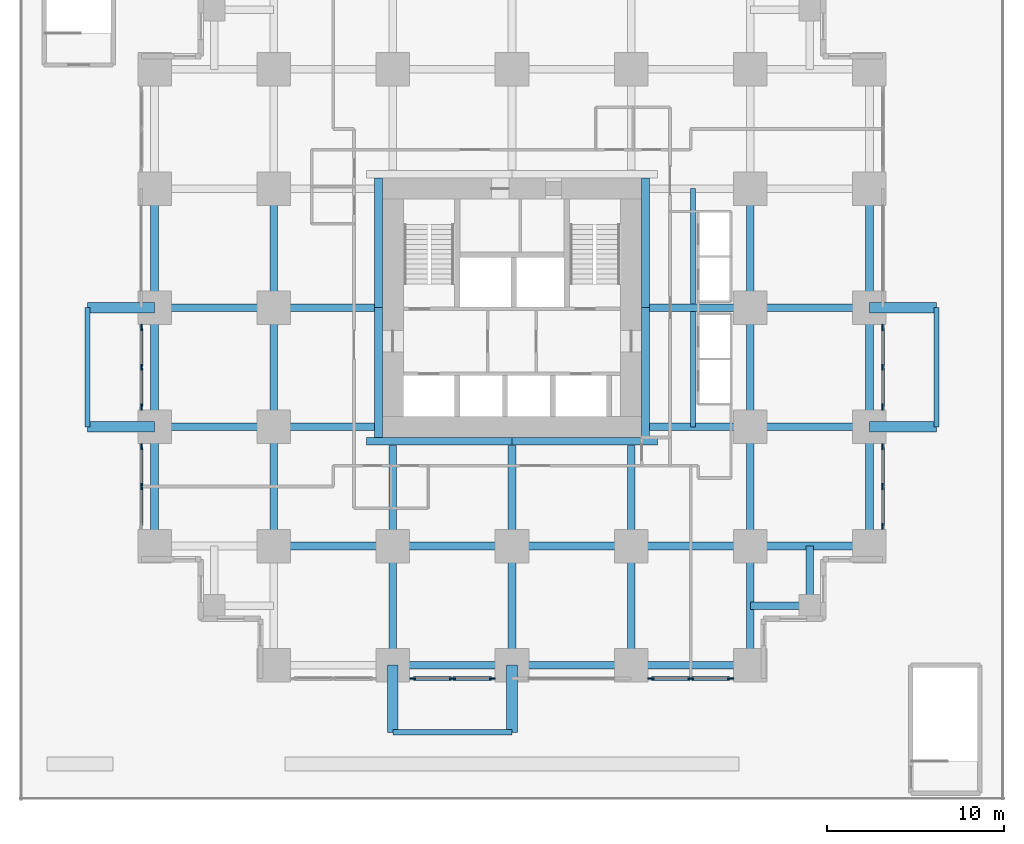
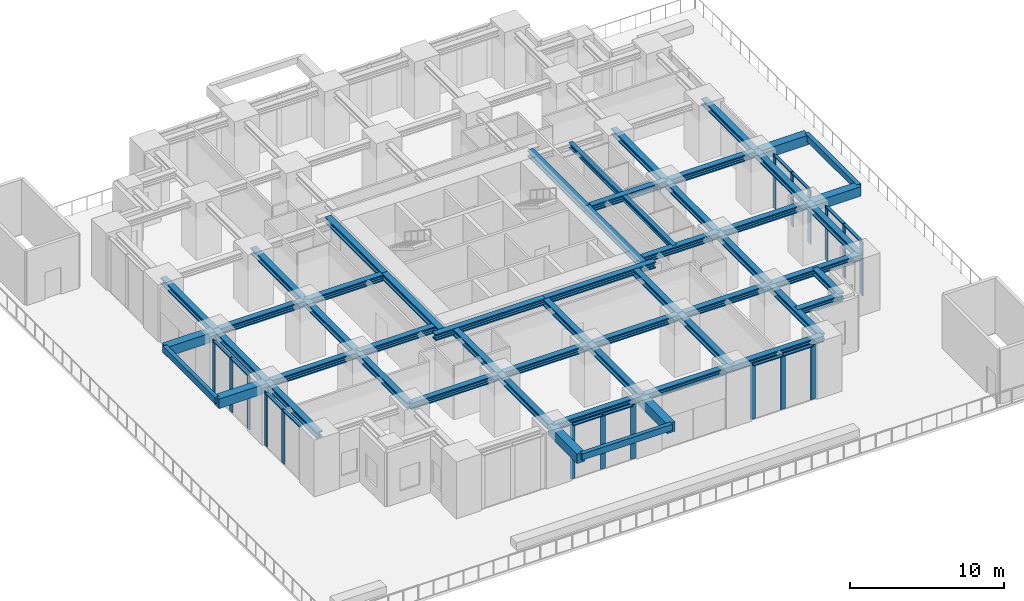
# One storey, part 2 of 9: 54 beams, 29 members, 6 elements without a shape of their own.
"""IFC4 building model written with IfcOpenShell, lengths in metres."""

from ifc_helpers import new_model, si_unit, direction, frame, origin, origin_2d, place, context, subcontext, project, spatial, rectangle, i_section, extrude, material, material_profile, profile_set, type_object, element, aggregate, save


model = new_model("IFC4")

# Units and contexts
model_context = context("Model", 3, precision=1e-05, world=origin(), true_north=direction((0.0, 1.0)))
body_context = subcontext(model_context, "Body", "Model", "MODEL_VIEW")
ifc_project = project(units=[si_unit("LENGTHUNIT", "METRE"), si_unit("AREAUNIT", "SQUARE_METRE"), si_unit("VOLUMEUNIT", "CUBIC_METRE"), si_unit("PLANEANGLEUNIT", "RADIAN"), si_unit("MASSUNIT", "GRAM", prefix="KILO")], contexts=[model_context])

# Site, building, storey
site_placement = place(None, origin())
site = spatial("IfcSite", under=ifc_project, at=site_placement, CompositionType="ELEMENT")
building_placement = place(site_placement, origin())
building = spatial("IfcBuilding", under=site, at=building_placement, Name="Nyansa Garden Tower", CompositionType="ELEMENT")
storey_placement = place(building_placement, frame((0.0, 0.0, 13.5)))
storey = spatial("IfcBuildingStorey", under=building, at=storey_placement, Name="L03", CompositionType="ELEMENT", Elevation=13.5)

# Beams
ifc_material_1 = material(Name="Concrete C70/85", Category="concrete")
ifc_material_profile_1 = material_profile(ifc_material_1, rectangle(XDim=0.60009765625, YDim=0.75, at=origin_2d()), Name="RC 600x750")
ifc_profile_set_1 = profile_set([ifc_material_profile_1], Name="Concrete C70/85")
beam_type_1 = type_object("IfcBeamType", Name="Balcony cantilever beam CB1 RC 600x750", PredefinedType="BEAM", material=ifc_profile_set_1)
for number, where, z_axis, x_axis, name in (
    (1, (13.5, 0.0, 3.885009765625), (0.0, -1.0, 0.0), (1.0, 0.0, 0.0), "Balcony cantilever beam L04"),
    (2, (20.25, 0.0, 3.885009765625), (0.0, -1.0, 0.0), (1.0, 0.0, 0.0), "Balcony cantilever beam L04"),
    (3, (40.5, 13.5, 3.885009765625), (1.0, 0.0, 0.0), (0.0, 1.0, 0.0), "Balcony cantilever beam L04"),
    (4, (40.5, 20.25, 3.885009765625), (1.0, 0.0, 0.0), (0.0, 1.0, 0.0), "Balcony cantilever beam L04"),
    (5, (0.0, 13.5, 3.885009765625), (-1.0, 0.0, 0.0), (0.0, -1.0, 0.0), "Balcony cantilever beam L04"),
    (6, (0.0, 20.25, 3.885009765625), (-1.0, 0.0, 0.0), (0.0, -1.0, 0.0), "Balcony cantilever beam L04"),
):
    element("IfcBeam", number, at=place(storey_placement, frame(where, z_axis=z_axis, x_axis=x_axis)), inside=storey, type_object=beam_type_1, Name=name, PredefinedType="BEAM", context=body_context, shape_type="SweptSolid", body=[
        extrude(rectangle(XDim=0.60009765625, YDim=0.75, at=origin_2d()), origin(), (0.0, 0.0, 1.0), 3.800048828125),
    ])
ifc_material_2 = material(Name="Concrete C70/85", Category="concrete")
ifc_material_profile_2 = material_profile(ifc_material_2, rectangle(XDim=0.300048828125, YDim=0.5, at=origin_2d()), Name="RC 300x500")
ifc_profile_set_2 = profile_set([ifc_material_profile_2], Name="Concrete C70/85")
beam_type_2 = type_object("IfcBeamType", Name="Balcony edge beam BE1 RC 300x500", PredefinedType="BEAM", material=ifc_profile_set_2)
for number, where, z_axis, x_axis, name in (
    (7, (13.5, -3.800048828125, 4.010009765625), (1.0, 0.0, 0.0), (0.0, 1.0, 0.0), "Balcony edge beam L04"),
    (8, (44.300048828125, 13.5, 4.010009765625), (0.0, 1.0, 0.0), (-1.0, 0.0, 0.0), "Balcony edge beam L04"),
    (9, (-3.800048828125, 13.5, 4.010009765625), (0.0, 1.0, 0.0), (-1.0, 0.0, 0.0), "Balcony edge beam L04"),
):
    element("IfcBeam", number, at=place(storey_placement, frame(where, z_axis=z_axis, x_axis=x_axis)), inside=storey, type_object=beam_type_2, Name=name, PredefinedType="BEAM", context=body_context, shape_type="SweptSolid", body=[
        extrude(rectangle(XDim=0.300048828125, YDim=0.5, at=origin_2d()), origin(), (0.0, 0.0, 1.0), 6.75),
    ])

# Curtain wall, members
ifc_material_3 = material(Name="Black anodised aluminium, clear double glazing", Category="aluminium")
curtain_wall_type = type_object("IfcCurtainWallType", Name="Podium curtain wall PCW", PredefinedType="USERDEFINED", material=ifc_material_3)
curtain_wall_1_placement = place(storey_placement, origin())
curtain_wall_1 = element("IfcCurtainWall", 10, at=curtain_wall_1_placement, inside=storey, type_object=curtain_wall_type, Name="Podium curtain wall L03 E", ObjectType="STICK CURTAIN WALL", PredefinedType="USERDEFINED")
ifc_material_4 = material(Name="Black anodised aluminium", Category="aluminium")
ifc_material_profile_3 = material_profile(ifc_material_4, rectangle(XDim=0.080078125, YDim=0.35009765625, at=origin_2d()), Name="Mullion 350x80")
ifc_profile_set_3 = profile_set([ifc_material_profile_3], Name="Black anodised aluminium")
member_type_1 = type_object("IfcMemberType", Name="Mullion PCW 350x80", PredefinedType="MULLION", material=ifc_profile_set_3)
member_1_placement = place(storey_placement, frame((41.25, 7.875, 0.0), z_axis=(0.0, 0.0, 1.0), x_axis=(-1.0, 0.0, 0.0)))
member_1 = element("IfcMember", 11, at=member_1_placement, type_object=member_type_1, Name="PCW mullion 1", PredefinedType="MULLION", context=body_context, shape_type="SweptSolid", body=[
    extrude(rectangle(XDim=0.080078125, YDim=0.35009765625, at=origin_2d()), origin(), (0.0, 0.0, 1.0), 4.27490234375),
])
member_2_placement = place(storey_placement, frame((41.25, 10.125, 0.0), z_axis=(0.0, 0.0, 1.0), x_axis=(-1.0, 0.0, 0.0)))
member_2 = element("IfcMember", 12, at=member_2_placement, type_object=member_type_1, Name="PCW mullion 2", PredefinedType="MULLION", context=body_context, shape_type="SweptSolid", body=[
    extrude(rectangle(XDim=0.080078125, YDim=0.35009765625, at=origin_2d()), origin(), (0.0, 0.0, 1.0), 4.27490234375),
])
member_3_placement = place(storey_placement, frame((41.25, 12.375, 0.0), z_axis=(0.0, 0.0, 1.0), x_axis=(-1.0, 0.0, 0.0)))
member_3 = element("IfcMember", 13, at=member_3_placement, type_object=member_type_1, Name="PCW mullion 3", PredefinedType="MULLION", context=body_context, shape_type="SweptSolid", body=[
    extrude(rectangle(XDim=0.080078125, YDim=0.35009765625, at=origin_2d()), origin(), (0.0, 0.0, 1.0), 4.27490234375),
])

curtain_wall_2_placement = place(storey_placement, origin())
curtain_wall_2 = element("IfcCurtainWall", 14, at=curtain_wall_2_placement, inside=storey, type_object=curtain_wall_type, Name="Podium curtain wall L03 E", ObjectType="STICK CURTAIN WALL", PredefinedType="USERDEFINED")
member_4_placement = place(storey_placement, frame((41.25, 14.625, 0.0), z_axis=(0.0, 0.0, 1.0), x_axis=(-1.0, 0.0, 0.0)))
member_4 = element("IfcMember", 15, at=member_4_placement, type_object=member_type_1, Name="PCW mullion 1", PredefinedType="MULLION", context=body_context, shape_type="SweptSolid", body=[
    extrude(rectangle(XDim=0.080078125, YDim=0.35009765625, at=origin_2d()), origin(), (0.0, 0.0, 1.0), 4.27490234375),
])
member_5_placement = place(storey_placement, frame((41.25, 16.875, 0.0), z_axis=(0.0, 0.0, 1.0), x_axis=(-1.0, 0.0, 0.0)))
member_5 = element("IfcMember", 16, at=member_5_placement, type_object=member_type_1, Name="PCW mullion 2", PredefinedType="MULLION", context=body_context, shape_type="SweptSolid", body=[
    extrude(rectangle(XDim=0.080078125, YDim=0.35009765625, at=origin_2d()), origin(), (0.0, 0.0, 1.0), 4.27490234375),
])
member_6_placement = place(storey_placement, frame((41.25, 19.125, 0.0), z_axis=(0.0, 0.0, 1.0), x_axis=(-1.0, 0.0, 0.0)))
member_6 = element("IfcMember", 17, at=member_6_placement, type_object=member_type_1, Name="PCW mullion 3", PredefinedType="MULLION", context=body_context, shape_type="SweptSolid", body=[
    extrude(rectangle(XDim=0.080078125, YDim=0.35009765625, at=origin_2d()), origin(), (0.0, 0.0, 1.0), 4.27490234375),
])

curtain_wall_3_placement = place(storey_placement, origin())
curtain_wall_3 = element("IfcCurtainWall", 18, at=curtain_wall_3_placement, inside=storey, type_object=curtain_wall_type, Name="Podium curtain wall L03 W", ObjectType="STICK CURTAIN WALL", PredefinedType="USERDEFINED")
member_7_placement = place(storey_placement, frame((-0.75, 19.125, 0.0), z_axis=(0.0, 0.0, 1.0), x_axis=(1.0, 0.0, 0.0)))
member_7 = element("IfcMember", 19, at=member_7_placement, type_object=member_type_1, Name="PCW mullion 1", PredefinedType="MULLION", context=body_context, shape_type="SweptSolid", body=[
    extrude(rectangle(XDim=0.080078125, YDim=0.35009765625, at=origin_2d()), origin(), (0.0, 0.0, 1.0), 4.27490234375),
])
member_8_placement = place(storey_placement, frame((-0.75, 16.875, 0.0), z_axis=(0.0, 0.0, 1.0), x_axis=(1.0, 0.0, 0.0)))
member_8 = element("IfcMember", 20, at=member_8_placement, type_object=member_type_1, Name="PCW mullion 2", PredefinedType="MULLION", context=body_context, shape_type="SweptSolid", body=[
    extrude(rectangle(XDim=0.080078125, YDim=0.35009765625, at=origin_2d()), origin(), (0.0, 0.0, 1.0), 4.27490234375),
])
member_9_placement = place(storey_placement, frame((-0.75, 14.625, 0.0), z_axis=(0.0, 0.0, 1.0), x_axis=(1.0, 0.0, 0.0)))
member_9 = element("IfcMember", 21, at=member_9_placement, type_object=member_type_1, Name="PCW mullion 3", PredefinedType="MULLION", context=body_context, shape_type="SweptSolid", body=[
    extrude(rectangle(XDim=0.080078125, YDim=0.35009765625, at=origin_2d()), origin(), (0.0, 0.0, 1.0), 4.27490234375),
])

curtain_wall_4_placement = place(storey_placement, origin())
curtain_wall_4 = element("IfcCurtainWall", 22, at=curtain_wall_4_placement, inside=storey, type_object=curtain_wall_type, Name="Podium curtain wall L03 W", ObjectType="STICK CURTAIN WALL", PredefinedType="USERDEFINED")
member_10_placement = place(storey_placement, frame((-0.75, 12.375, 0.0), z_axis=(0.0, 0.0, 1.0), x_axis=(1.0, 0.0, 0.0)))
member_10 = element("IfcMember", 23, at=member_10_placement, type_object=member_type_1, Name="PCW mullion 1", PredefinedType="MULLION", context=body_context, shape_type="SweptSolid", body=[
    extrude(rectangle(XDim=0.080078125, YDim=0.35009765625, at=origin_2d()), origin(), (0.0, 0.0, 1.0), 4.27490234375),
])
member_11_placement = place(storey_placement, frame((-0.75, 10.125, 0.0), z_axis=(0.0, 0.0, 1.0), x_axis=(1.0, 0.0, 0.0)))
member_11 = element("IfcMember", 24, at=member_11_placement, type_object=member_type_1, Name="PCW mullion 2", PredefinedType="MULLION", context=body_context, shape_type="SweptSolid", body=[
    extrude(rectangle(XDim=0.080078125, YDim=0.35009765625, at=origin_2d()), origin(), (0.0, 0.0, 1.0), 4.27490234375),
])

curtain_wall_5_placement = place(storey_placement, origin())
curtain_wall_5 = element("IfcCurtainWall", 25, at=curtain_wall_5_placement, inside=storey, type_object=curtain_wall_type, Name="Podium curtain wall L03 S", ObjectType="STICK CURTAIN WALL", PredefinedType="USERDEFINED")
member_12_placement = place(storey_placement, frame((14.625, -0.75, 0.0), z_axis=(0.0, 0.0, 1.0), x_axis=(0.0, 1.0, 0.0)))
member_12 = element("IfcMember", 26, at=member_12_placement, type_object=member_type_1, Name="PCW mullion 1", PredefinedType="MULLION", context=body_context, shape_type="SweptSolid", body=[
    extrude(rectangle(XDim=0.080078125, YDim=0.35009765625, at=origin_2d()), origin(), (0.0, 0.0, 1.0), 4.27490234375),
])
member_13_placement = place(storey_placement, frame((16.875, -0.75, 0.0), z_axis=(0.0, 0.0, 1.0), x_axis=(0.0, 1.0, 0.0)))
member_13 = element("IfcMember", 27, at=member_13_placement, type_object=member_type_1, Name="PCW mullion 2", PredefinedType="MULLION", context=body_context, shape_type="SweptSolid", body=[
    extrude(rectangle(XDim=0.080078125, YDim=0.35009765625, at=origin_2d()), origin(), (0.0, 0.0, 1.0), 4.27490234375),
])
member_14_placement = place(storey_placement, frame((19.125, -0.75, 0.0), z_axis=(0.0, 0.0, 1.0), x_axis=(0.0, 1.0, 0.0)))
member_14 = element("IfcMember", 28, at=member_14_placement, type_object=member_type_1, Name="PCW mullion 3", PredefinedType="MULLION", context=body_context, shape_type="SweptSolid", body=[
    extrude(rectangle(XDim=0.080078125, YDim=0.35009765625, at=origin_2d()), origin(), (0.0, 0.0, 1.0), 4.27490234375),
])

curtain_wall_6_placement = place(storey_placement, origin())
curtain_wall_6 = element("IfcCurtainWall", 29, at=curtain_wall_6_placement, inside=storey, type_object=curtain_wall_type, Name="Podium curtain wall L03 S", ObjectType="STICK CURTAIN WALL", PredefinedType="USERDEFINED")
member_15_placement = place(storey_placement, frame((28.125, -0.75, 0.0), z_axis=(0.0, 0.0, 1.0), x_axis=(0.0, 1.0, 0.0)))
member_15 = element("IfcMember", 30, at=member_15_placement, type_object=member_type_1, Name="PCW mullion 1", PredefinedType="MULLION", context=body_context, shape_type="SweptSolid", body=[
    extrude(rectangle(XDim=0.080078125, YDim=0.35009765625, at=origin_2d()), origin(), (0.0, 0.0, 1.0), 4.27490234375),
])
member_16_placement = place(storey_placement, frame((30.375, -0.75, 0.0), z_axis=(0.0, 0.0, 1.0), x_axis=(0.0, 1.0, 0.0)))
member_16 = element("IfcMember", 31, at=member_16_placement, type_object=member_type_1, Name="PCW mullion 2", PredefinedType="MULLION", context=body_context, shape_type="SweptSolid", body=[
    extrude(rectangle(XDim=0.080078125, YDim=0.35009765625, at=origin_2d()), origin(), (0.0, 0.0, 1.0), 4.27490234375),
])
member_17_placement = place(storey_placement, frame((32.625, -0.75, 0.0), z_axis=(0.0, 0.0, 1.0), x_axis=(0.0, 1.0, 0.0)))
member_17 = element("IfcMember", 32, at=member_17_placement, type_object=member_type_1, Name="PCW mullion 3", PredefinedType="MULLION", context=body_context, shape_type="SweptSolid", body=[
    extrude(rectangle(XDim=0.080078125, YDim=0.35009765625, at=origin_2d()), origin(), (0.0, 0.0, 1.0), 4.27490234375),
])

# Beams
ifc_material_5 = material(Name="Steel S355", Category="steel")
ifc_material_profile_4 = material_profile(ifc_material_5, i_section(OverallWidth=0.431884765625, OverallDepth=0.498046875, WebThickness=0.0556640625, FlangeThickness=0.0888671875, FilletRadius=0.014892578125, at=origin_2d()), Name="HD 400x744")
ifc_profile_set_4 = profile_set([ifc_material_profile_4], Name="Steel S355")
beam_type_3 = type_object("IfcBeamType", Name="Steel beam SBA1-744 HD 400x744", PredefinedType="BEAM", material=ifc_profile_set_4)
for number, where, z_axis, x_axis, name in (
    (33, (0.0, 13.5, 4.02587890625), (1.0, 0.0, 0.0), (0.0, 1.0, 0.0), "Steel beam 2/F-3/F L04"),
    (34, (0.0, 20.25, 4.02587890625), (1.0, 0.0, 0.0), (0.0, 1.0, 0.0), "Steel beam 2/G-3/G L04"),
    (35, (6.75, 6.75, 4.02587890625), (0.0, 1.0, 0.0), (-1.0, 0.0, 0.0), "Steel beam 3/E-3/F L04"),
    (36, (6.75, 6.75, 4.02587890625), (1.0, 0.0, 0.0), (0.0, 1.0, 0.0), "Steel beam 3/E-4/E L04"),
    (37, (6.75, 13.5, 4.02587890625), (0.0, 1.0, 0.0), (-1.0, 0.0, 0.0), "Steel beam 3/F-3/G L04"),
):
    element("IfcBeam", number, at=place(storey_placement, frame(where, z_axis=z_axis, x_axis=x_axis)), inside=storey, type_object=beam_type_3, Name=name, PredefinedType="BEAM", context=body_context, shape_type="SweptSolid", body=[
        extrude(i_section(OverallWidth=0.431884765625, OverallDepth=0.498046875, WebThickness=0.0556640625, FlangeThickness=0.0888671875, FilletRadius=0.014892578125, at=origin_2d()), origin(), (0.0, 0.0, 1.0), 6.75),
    ])
beam_1_placement = place(storey_placement, frame((6.75, 13.5, 4.02587890625), z_axis=(1.0, 0.0, 0.0), x_axis=(0.0, 1.0, 0.0)))
element("IfcBeam", 38, at=beam_1_placement, inside=storey, type_object=beam_type_3, Name="Steel beam 3/F-12.450/F L04", PredefinedType="BEAM", context=body_context, shape_type="SweptSolid", body=[
    extrude(i_section(OverallWidth=0.431884765625, OverallDepth=0.498046875, WebThickness=0.0556640625, FlangeThickness=0.0888671875, FilletRadius=0.014892578125, at=origin_2d()), origin(), (0.0, 0.0, 1.0), 5.699951171875),
])
beam_2_placement = place(storey_placement, frame((6.75, 20.25, 4.02587890625), z_axis=(0.0, 1.0, 0.0), x_axis=(-1.0, 0.0, 0.0)))
element("IfcBeam", 39, at=beam_2_placement, inside=storey, type_object=beam_type_3, Name="Steel beam 3/G-3/H L04", PredefinedType="BEAM", context=body_context, shape_type="SweptSolid", body=[
    extrude(i_section(OverallWidth=0.431884765625, OverallDepth=0.498046875, WebThickness=0.0556640625, FlangeThickness=0.0888671875, FilletRadius=0.014892578125, at=origin_2d()), origin(), (0.0, 0.0, 1.0), 6.75),
])
beam_3_placement = place(storey_placement, frame((6.75, 20.25, 4.02587890625), z_axis=(1.0, 0.0, 0.0), x_axis=(0.0, 1.0, 0.0)))
element("IfcBeam", 40, at=beam_3_placement, inside=storey, type_object=beam_type_3, Name="Steel beam 3/G-12.450/G L04", PredefinedType="BEAM", context=body_context, shape_type="SweptSolid", body=[
    extrude(i_section(OverallWidth=0.431884765625, OverallDepth=0.498046875, WebThickness=0.0556640625, FlangeThickness=0.0888671875, FilletRadius=0.014892578125, at=origin_2d()), origin(), (0.0, 0.0, 1.0), 5.699951171875),
])
beam_4_placement = place(storey_placement, frame((13.5, 0.0, 4.02587890625), z_axis=(0.0, 1.0, 0.0), x_axis=(-1.0, 0.0, 0.0)))
element("IfcBeam", 41, at=beam_4_placement, inside=storey, type_object=beam_type_3, Name="Steel beam 4/D-4/E L04", PredefinedType="BEAM", context=body_context, shape_type="SweptSolid", body=[
    extrude(i_section(OverallWidth=0.431884765625, OverallDepth=0.498046875, WebThickness=0.0556640625, FlangeThickness=0.0888671875, FilletRadius=0.014892578125, at=origin_2d()), origin(), (0.0, 0.0, 1.0), 6.75),
])
beam_5_placement = place(storey_placement, frame((13.5, 6.75, 4.02587890625), z_axis=(0.0, 1.0, 0.0), x_axis=(-1.0, 0.0, 0.0)))
element("IfcBeam", 42, at=beam_5_placement, inside=storey, type_object=beam_type_3, Name="Steel beam 4/E-4/12.450 L04", PredefinedType="BEAM", context=body_context, shape_type="SweptSolid", body=[
    extrude(i_section(OverallWidth=0.431884765625, OverallDepth=0.498046875, WebThickness=0.0556640625, FlangeThickness=0.0888671875, FilletRadius=0.014892578125, at=origin_2d()), origin(), (0.0, 0.0, 1.0), 5.699951171875),
])
for number, where, z_axis, x_axis, name in (
    (43, (13.5, 6.75, 4.02587890625), (1.0, 0.0, 0.0), (0.0, 1.0, 0.0), "Steel beam 4/E-5/E L04"),
    (44, (20.25, 0.0, 4.02587890625), (0.0, 1.0, 0.0), (-1.0, 0.0, 0.0), "Steel beam 5/D-5/E L04"),
):
    element("IfcBeam", number, at=place(storey_placement, frame(where, z_axis=z_axis, x_axis=x_axis)), inside=storey, type_object=beam_type_3, Name=name, PredefinedType="BEAM", context=body_context, shape_type="SweptSolid", body=[
        extrude(i_section(OverallWidth=0.431884765625, OverallDepth=0.498046875, WebThickness=0.0556640625, FlangeThickness=0.0888671875, FilletRadius=0.014892578125, at=origin_2d()), origin(), (0.0, 0.0, 1.0), 6.75),
    ])
beam_6_placement = place(storey_placement, frame((20.25, 6.75, 4.02587890625), z_axis=(0.0, 1.0, 0.0), x_axis=(-1.0, 0.0, 0.0)))
element("IfcBeam", 45, at=beam_6_placement, inside=storey, type_object=beam_type_3, Name="Steel beam 5/E-5/12.450 L04", PredefinedType="BEAM", context=body_context, shape_type="SweptSolid", body=[
    extrude(i_section(OverallWidth=0.431884765625, OverallDepth=0.498046875, WebThickness=0.0556640625, FlangeThickness=0.0888671875, FilletRadius=0.014892578125, at=origin_2d()), origin(), (0.0, 0.0, 1.0), 5.699951171875),
])
for number, where, z_axis, x_axis, name in (
    (46, (20.25, 6.75, 4.02587890625), (1.0, 0.0, 0.0), (0.0, 1.0, 0.0), "Steel beam 5/E-6/E L04"),
    (47, (27.0, 0.0, 4.02587890625), (0.0, 1.0, 0.0), (-1.0, 0.0, 0.0), "Steel beam 6/D-6/E L04"),
):
    element("IfcBeam", number, at=place(storey_placement, frame(where, z_axis=z_axis, x_axis=x_axis)), inside=storey, type_object=beam_type_3, Name=name, PredefinedType="BEAM", context=body_context, shape_type="SweptSolid", body=[
        extrude(i_section(OverallWidth=0.431884765625, OverallDepth=0.498046875, WebThickness=0.0556640625, FlangeThickness=0.0888671875, FilletRadius=0.014892578125, at=origin_2d()), origin(), (0.0, 0.0, 1.0), 6.75),
    ])
beam_7_placement = place(storey_placement, frame((27.0, 6.75, 4.02587890625), z_axis=(0.0, 1.0, 0.0), x_axis=(-1.0, 0.0, 0.0)))
element("IfcBeam", 48, at=beam_7_placement, inside=storey, type_object=beam_type_3, Name="Steel beam 6/E-6/12.450 L04", PredefinedType="BEAM", context=body_context, shape_type="SweptSolid", body=[
    extrude(i_section(OverallWidth=0.431884765625, OverallDepth=0.498046875, WebThickness=0.0556640625, FlangeThickness=0.0888671875, FilletRadius=0.014892578125, at=origin_2d()), origin(), (0.0, 0.0, 1.0), 5.699951171875),
])
beam_8_placement = place(storey_placement, frame((27.0, 6.75, 4.02587890625), z_axis=(1.0, 0.0, 0.0), x_axis=(0.0, 1.0, 0.0)))
element("IfcBeam", 49, at=beam_8_placement, inside=storey, type_object=beam_type_3, Name="Steel beam 6/E-7/E L04", PredefinedType="BEAM", context=body_context, shape_type="SweptSolid", body=[
    extrude(i_section(OverallWidth=0.431884765625, OverallDepth=0.498046875, WebThickness=0.0556640625, FlangeThickness=0.0888671875, FilletRadius=0.014892578125, at=origin_2d()), origin(), (0.0, 0.0, 1.0), 6.75),
])
for number, where, z_axis, x_axis, name in (
    (50, (28.050048828125, 13.5, 4.02587890625), (1.0, 0.0, 0.0), (0.0, 1.0, 0.0), "Steel beam 28.050/F-7/F L04"),
    (51, (28.050048828125, 20.25, 4.02587890625), (1.0, 0.0, 0.0), (0.0, 1.0, 0.0), "Steel beam 28.050/G-7/G L04"),
):
    element("IfcBeam", number, at=place(storey_placement, frame(where, z_axis=z_axis, x_axis=x_axis)), inside=storey, type_object=beam_type_3, Name=name, PredefinedType="BEAM", context=body_context, shape_type="SweptSolid", body=[
        extrude(i_section(OverallWidth=0.431884765625, OverallDepth=0.498046875, WebThickness=0.0556640625, FlangeThickness=0.0888671875, FilletRadius=0.014892578125, at=origin_2d()), origin(), (0.0, 0.0, 1.0), 5.699951171875),
    ])
for number, where, z_axis, x_axis, name in (
    (52, (33.75, 0.0, 4.02587890625), (0.0, 1.0, 0.0), (-1.0, 0.0, 0.0), "Steel beam 7/D-7/E L04"),
    (53, (33.75, 6.75, 4.02587890625), (0.0, 1.0, 0.0), (-1.0, 0.0, 0.0), "Steel beam 7/E-7/F L04"),
    (54, (33.75, 6.75, 4.02587890625), (1.0, 0.0, 0.0), (0.0, 1.0, 0.0), "Steel beam 7/E-8/E L04"),
    (55, (33.75, 13.5, 4.02587890625), (0.0, 1.0, 0.0), (-1.0, 0.0, 0.0), "Steel beam 7/F-7/G L04"),
    (56, (33.75, 13.5, 4.02587890625), (1.0, 0.0, 0.0), (0.0, 1.0, 0.0), "Steel beam 7/F-8/F L04"),
    (57, (33.75, 20.25, 4.02587890625), (0.0, 1.0, 0.0), (-1.0, 0.0, 0.0), "Steel beam 7/G-7/H L04"),
    (58, (33.75, 20.25, 4.02587890625), (1.0, 0.0, 0.0), (0.0, 1.0, 0.0), "Steel beam 7/G-8/G L04"),
):
    element("IfcBeam", number, at=place(storey_placement, frame(where, z_axis=z_axis, x_axis=x_axis)), inside=storey, type_object=beam_type_3, Name=name, PredefinedType="BEAM", context=body_context, shape_type="SweptSolid", body=[
        extrude(i_section(OverallWidth=0.431884765625, OverallDepth=0.498046875, WebThickness=0.0556640625, FlangeThickness=0.0888671875, FilletRadius=0.014892578125, at=origin_2d()), origin(), (0.0, 0.0, 1.0), 6.75),
    ])
ifc_material_6 = material(Name="Steel S355", Category="steel")
ifc_material_profile_5 = material_profile(ifc_material_6, i_section(OverallWidth=0.431884765625, OverallDepth=0.498046875, WebThickness=0.0556640625, FlangeThickness=0.0888671875, FilletRadius=0.014892578125, at=origin_2d()), Name="HD 400x744")
ifc_profile_set_5 = profile_set([ifc_material_profile_5], Name="Steel S355")
beam_type_4 = type_object("IfcBeamType", Name="Steel beam SEBA-744 HD 400x744", PredefinedType="BEAM", material=ifc_profile_set_5)
for number, where, z_axis, x_axis, name in (
    (59, (0.0, 6.75, 4.02587890625), (0.0, 1.0, 0.0), (-1.0, 0.0, 0.0), "Steel edge beam 2/E-2/F L04"),
    (60, (0.0, 13.5, 4.02587890625), (0.0, 1.0, 0.0), (-1.0, 0.0, 0.0), "Steel edge beam 2/F-2/G L04"),
    (61, (0.0, 20.25, 4.02587890625), (0.0, 1.0, 0.0), (-1.0, 0.0, 0.0), "Steel edge beam 2/G-2/H L04"),
    (62, (13.5, 0.0, 4.02587890625), (1.0, 0.0, 0.0), (0.0, 1.0, 0.0), "Steel edge beam 4/D-5/D L04"),
    (63, (20.25, 0.0, 4.02587890625), (1.0, 0.0, 0.0), (0.0, 1.0, 0.0), "Steel edge beam 5/D-6/D L04"),
    (64, (27.0, 0.0, 4.02587890625), (1.0, 0.0, 0.0), (0.0, 1.0, 0.0), "Steel edge beam 6/D-7/D L04"),
    (65, (40.5, 6.75, 4.02587890625), (0.0, 1.0, 0.0), (-1.0, 0.0, 0.0), "Steel edge beam 8/E-8/F L04"),
    (66, (40.5, 13.5, 4.02587890625), (0.0, 1.0, 0.0), (-1.0, 0.0, 0.0), "Steel edge beam 8/F-8/G L04"),
    (67, (40.5, 20.25, 4.02587890625), (0.0, 1.0, 0.0), (-1.0, 0.0, 0.0), "Steel edge beam 8/G-8/H L04"),
):
    element("IfcBeam", number, at=place(storey_placement, frame(where, z_axis=z_axis, x_axis=x_axis)), inside=storey, type_object=beam_type_4, Name=name, PredefinedType="BEAM", context=body_context, shape_type="SweptSolid", body=[
        extrude(i_section(OverallWidth=0.431884765625, OverallDepth=0.498046875, WebThickness=0.0556640625, FlangeThickness=0.0888671875, FilletRadius=0.014892578125, at=origin_2d()), origin(), (0.0, 0.0, 1.0), 6.75),
    ])
ifc_material_7 = material(Name="Steel S355", Category="steel")
ifc_material_profile_6 = material_profile(ifc_material_7, i_section(OverallWidth=0.431884765625, OverallDepth=0.498046875, WebThickness=0.0556640625, FlangeThickness=0.0888671875, FilletRadius=0.014892578125, at=origin_2d()), Name="HD 400x744")
ifc_profile_set_6 = profile_set([ifc_material_profile_6], Name="Steel S355")
beam_type_5 = type_object("IfcBeamType", Name="Steel beam SLB1-744 HD 400x744", PredefinedType="BEAM", material=ifc_profile_set_6)
for number, where, z_axis, x_axis, name in (
    (68, (12.0, 12.68408203125, 4.02587890625), (1.0, 0.0, 0.0), (0.0, 1.0, 0.0), "Steel core ledger beam S.1 L04"),
    (69, (20.25, 12.68408203125, 4.02587890625), (1.0, 0.0, 0.0), (0.0, 1.0, 0.0), "Steel core ledger beam S.2 L04"),
):
    element("IfcBeam", number, at=place(storey_placement, frame(where, z_axis=z_axis, x_axis=x_axis)), inside=storey, type_object=beam_type_5, Name=name, PredefinedType="BEAM", context=body_context, shape_type="SweptSolid", body=[
        extrude(i_section(OverallWidth=0.431884765625, OverallDepth=0.498046875, WebThickness=0.0556640625, FlangeThickness=0.0888671875, FilletRadius=0.014892578125, at=origin_2d()), origin(), (0.0, 0.0, 1.0), 8.25),
    ])
for number, where, z_axis, x_axis, name in (
    (70, (27.81591796875, 12.89990234375, 4.02587890625), (0.0, 1.0, 0.0), (-1.0, 0.0, 0.0), "Steel core ledger beam E.1 L04"),
    (71, (27.81591796875, 20.25, 4.02587890625), (0.0, 1.0, 0.0), (-1.0, 0.0, 0.0), "Steel core ledger beam E.2 L04"),
    (72, (12.68408203125, 27.60009765625, 4.02587890625), (0.0, -1.0, 0.0), (1.0, 0.0, 0.0), "Steel core ledger beam W.1 L04"),
    (73, (12.68408203125, 20.25, 4.02587890625), (0.0, -1.0, 0.0), (1.0, 0.0, 0.0), "Steel core ledger beam W.2 L04"),
):
    element("IfcBeam", number, at=place(storey_placement, frame(where, z_axis=z_axis, x_axis=x_axis)), inside=storey, type_object=beam_type_5, Name=name, PredefinedType="BEAM", context=body_context, shape_type="SweptSolid", body=[
        extrude(i_section(OverallWidth=0.431884765625, OverallDepth=0.498046875, WebThickness=0.0556640625, FlangeThickness=0.0888671875, FilletRadius=0.014892578125, at=origin_2d()), origin(), (0.0, 0.0, 1.0), 7.35009765625),
    ])
ifc_material_8 = material(Name="Steel S355", Category="steel")
ifc_material_profile_7 = material_profile(ifc_material_8, i_section(OverallWidth=0.431884765625, OverallDepth=0.498046875, WebThickness=0.0556640625, FlangeThickness=0.0888671875, FilletRadius=0.014892578125, at=origin_2d()), Name="HD 400x744")
ifc_profile_set_7 = profile_set([ifc_material_profile_7], Name="Steel S355")
beam_type_6 = type_object("IfcBeamType", Name="Steel beam SSB1-744 HD 400x744", PredefinedType="BEAM", material=ifc_profile_set_7)
for number, where, z_axis, x_axis, name in (
    (74, (37.125, 3.375, 4.02587890625), (0.0, 1.0, 0.0), (-1.0, 0.0, 0.0), "Steel step beam 37.125/3.375 L04"),
    (75, (37.125, 3.375, 4.02587890625), (-1.0, 0.0, 0.0), (0.0, -1.0, 0.0), "Steel step beam 37.125/3.375 L04"),
):
    element("IfcBeam", number, at=place(storey_placement, frame(where, z_axis=z_axis, x_axis=x_axis)), inside=storey, type_object=beam_type_6, Name=name, PredefinedType="BEAM", context=body_context, shape_type="SweptSolid", body=[
        extrude(i_section(OverallWidth=0.431884765625, OverallDepth=0.498046875, WebThickness=0.0556640625, FlangeThickness=0.0888671875, FilletRadius=0.014892578125, at=origin_2d()), origin(), (0.0, 0.0, 1.0), 3.375),
    ])

# Member
ifc_material_9 = material(Name="Black anodised aluminium", Category="aluminium")
ifc_material_profile_8 = material_profile(ifc_material_9, rectangle(XDim=0.219970703125, YDim=0.080078125, at=origin_2d()), Name="Transom 220x80")
ifc_profile_set_8 = profile_set([ifc_material_profile_8], Name="Black anodised aluminium")
member_type_2 = type_object("IfcMemberType", Name="Transom PCW 220x80", PredefinedType="USERDEFINED", material=ifc_profile_set_8)
member_18_placement = place(storey_placement, frame((41.25, 7.9150390625, 4.235107421875), z_axis=(0.0, 1.0, 0.0), x_axis=(-1.0, 0.0, 0.0)))
member_18 = element("IfcMember", 76, at=member_18_placement, type_object=member_type_2, Name="PCW transom 1", ObjectType="TRANSOM", PredefinedType="USERDEFINED", context=body_context, shape_type="SweptSolid", body=[
    extrude(rectangle(XDim=0.219970703125, YDim=0.080078125, at=origin_2d()), origin(), (0.0, 0.0, 1.0), 2.169921875),
])

member_19_placement = place(storey_placement, frame((41.25, 10.1650390625, 4.235107421875), z_axis=(0.0, 1.0, 0.0), x_axis=(-1.0, 0.0, 0.0)))
member_19 = element("IfcMember", 77, at=member_19_placement, type_object=member_type_2, Name="PCW transom 2", ObjectType="TRANSOM", PredefinedType="USERDEFINED", context=body_context, shape_type="SweptSolid", body=[
    extrude(rectangle(XDim=0.219970703125, YDim=0.080078125, at=origin_2d()), origin(), (0.0, 0.0, 1.0), 2.169921875),
])

aggregate(curtain_wall_1, [member_1, member_2, member_3, member_18, member_19])

member_20_placement = place(storey_placement, frame((41.25, 14.6650390625, 4.235107421875), z_axis=(0.0, 1.0, 0.0), x_axis=(-1.0, 0.0, 0.0)))
member_20 = element("IfcMember", 78, at=member_20_placement, type_object=member_type_2, Name="PCW transom 1", ObjectType="TRANSOM", PredefinedType="USERDEFINED", context=body_context, shape_type="SweptSolid", body=[
    extrude(rectangle(XDim=0.219970703125, YDim=0.080078125, at=origin_2d()), origin(), (0.0, 0.0, 1.0), 2.169921875),
])

member_21_placement = place(storey_placement, frame((41.25, 16.9150390625, 4.235107421875), z_axis=(0.0, 1.0, 0.0), x_axis=(-1.0, 0.0, 0.0)))
member_21 = element("IfcMember", 79, at=member_21_placement, type_object=member_type_2, Name="PCW transom 2", ObjectType="TRANSOM", PredefinedType="USERDEFINED", context=body_context, shape_type="SweptSolid", body=[
    extrude(rectangle(XDim=0.219970703125, YDim=0.080078125, at=origin_2d()), origin(), (0.0, 0.0, 1.0), 2.169921875),
])

aggregate(curtain_wall_2, [member_4, member_5, member_6, member_20, member_21])

member_22_placement = place(storey_placement, frame((-0.75, 19.0849609375, 4.235107421875), z_axis=(0.0, -1.0, 0.0), x_axis=(1.0, 0.0, 0.0)))
member_22 = element("IfcMember", 80, at=member_22_placement, type_object=member_type_2, Name="PCW transom 1", ObjectType="TRANSOM", PredefinedType="USERDEFINED", context=body_context, shape_type="SweptSolid", body=[
    extrude(rectangle(XDim=0.219970703125, YDim=0.080078125, at=origin_2d()), origin(), (0.0, 0.0, 1.0), 2.169921875),
])

member_23_placement = place(storey_placement, frame((-0.75, 16.8349609375, 4.235107421875), z_axis=(0.0, -1.0, 0.0), x_axis=(1.0, 0.0, 0.0)))
member_23 = element("IfcMember", 81, at=member_23_placement, type_object=member_type_2, Name="PCW transom 2", ObjectType="TRANSOM", PredefinedType="USERDEFINED", context=body_context, shape_type="SweptSolid", body=[
    extrude(rectangle(XDim=0.219970703125, YDim=0.080078125, at=origin_2d()), origin(), (0.0, 0.0, 1.0), 2.169921875),
])

aggregate(curtain_wall_3, [member_7, member_8, member_9, member_22, member_23])

member_24_placement = place(storey_placement, frame((-0.75, 12.3349609375, 4.235107421875), z_axis=(0.0, -1.0, 0.0), x_axis=(1.0, 0.0, 0.0)))
member_24 = element("IfcMember", 82, at=member_24_placement, type_object=member_type_2, Name="PCW transom 1", ObjectType="TRANSOM", PredefinedType="USERDEFINED", context=body_context, shape_type="SweptSolid", body=[
    extrude(rectangle(XDim=0.219970703125, YDim=0.080078125, at=origin_2d()), origin(), (0.0, 0.0, 1.0), 2.169921875),
])

member_25_placement = place(storey_placement, frame((-0.75, 10.0849609375, 4.235107421875), z_axis=(0.0, -1.0, 0.0), x_axis=(1.0, 0.0, 0.0)))
member_25 = element("IfcMember", 83, at=member_25_placement, type_object=member_type_2, Name="PCW transom 2", ObjectType="TRANSOM", PredefinedType="USERDEFINED", context=body_context, shape_type="SweptSolid", body=[
    extrude(rectangle(XDim=0.219970703125, YDim=0.080078125, at=origin_2d()), origin(), (0.0, 0.0, 1.0), 2.169921875),
])

aggregate(curtain_wall_4, [member_10, member_11, member_24, member_25])

member_26_placement = place(storey_placement, frame((14.6650390625, -0.75, 4.235107421875), z_axis=(1.0, 0.0, 0.0), x_axis=(0.0, 1.0, 0.0)))
member_26 = element("IfcMember", 84, at=member_26_placement, type_object=member_type_2, Name="PCW transom 1", ObjectType="TRANSOM", PredefinedType="USERDEFINED", context=body_context, shape_type="SweptSolid", body=[
    extrude(rectangle(XDim=0.219970703125, YDim=0.080078125, at=origin_2d()), origin(), (0.0, 0.0, 1.0), 2.169921875),
])

member_27_placement = place(storey_placement, frame((16.9150390625, -0.75, 4.235107421875), z_axis=(1.0, 0.0, 0.0), x_axis=(0.0, 1.0, 0.0)))
member_27 = element("IfcMember", 85, at=member_27_placement, type_object=member_type_2, Name="PCW transom 2", ObjectType="TRANSOM", PredefinedType="USERDEFINED", context=body_context, shape_type="SweptSolid", body=[
    extrude(rectangle(XDim=0.219970703125, YDim=0.080078125, at=origin_2d()), origin(), (0.0, 0.0, 1.0), 2.169921875),
])

aggregate(curtain_wall_5, [member_12, member_13, member_14, member_26, member_27])

member_28_placement = place(storey_placement, frame((28.1650390625, -0.75, 4.235107421875), z_axis=(1.0, 0.0, 0.0), x_axis=(0.0, 1.0, 0.0)))
member_28 = element("IfcMember", 86, at=member_28_placement, type_object=member_type_2, Name="PCW transom 1", ObjectType="TRANSOM", PredefinedType="USERDEFINED", context=body_context, shape_type="SweptSolid", body=[
    extrude(rectangle(XDim=0.219970703125, YDim=0.080078125, at=origin_2d()), origin(), (0.0, 0.0, 1.0), 2.169921875),
])

member_29_placement = place(storey_placement, frame((30.4150390625, -0.75, 4.235107421875), z_axis=(1.0, 0.0, 0.0), x_axis=(0.0, 1.0, 0.0)))
member_29 = element("IfcMember", 87, at=member_29_placement, type_object=member_type_2, Name="PCW transom 2", ObjectType="TRANSOM", PredefinedType="USERDEFINED", context=body_context, shape_type="SweptSolid", body=[
    extrude(rectangle(XDim=0.219970703125, YDim=0.080078125, at=origin_2d()), origin(), (0.0, 0.0, 1.0), 2.169921875),
])

aggregate(curtain_wall_6, [member_15, member_16, member_17, member_28, member_29])

# Beams
ifc_material_10 = material(Name="Steel S355", Category="steel")
ifc_material_profile_9 = material_profile(ifc_material_10, i_section(OverallWidth=0.300048828125, OverallDepth=0.39990234375, WebThickness=0.013427734375, FlangeThickness=0.02392578125, FilletRadius=0.027099609375, at=origin_2d()), Name="HE 400 B")
ifc_profile_set_9 = profile_set([ifc_material_profile_9], Name="Steel S355")
beam_type_7 = type_object("IfcBeamType", Name="Trimmer beam TR1 HE 400 B", PredefinedType="BEAM", material=ifc_profile_set_9)
for number, where, z_axis, x_axis, name in (
    (88, (30.5, 13.5, 4.074951171875), (0.0, 1.0, 0.0), (-1.0, 0.0, 0.0), "Trimmer beam 1 L04"),
    (89, (30.5, 20.466064453125, 4.074951171875), (0.0, 1.0, 0.0), (-1.0, 0.0, 0.0), "Trimmer beam 2 L04"),
):
    element("IfcBeam", number, at=place(storey_placement, frame(where, z_axis=z_axis, x_axis=x_axis)), inside=storey, type_object=beam_type_7, Name=name, PredefinedType="BEAM", context=body_context, shape_type="SweptSolid", body=[
        extrude(i_section(OverallWidth=0.300048828125, OverallDepth=0.39990234375, WebThickness=0.013427734375, FlangeThickness=0.02392578125, FilletRadius=0.027099609375, at=origin_2d()), origin(), (0.0, 0.0, 1.0), 6.533935546875),
    ])

save(model, "model.ifc")
